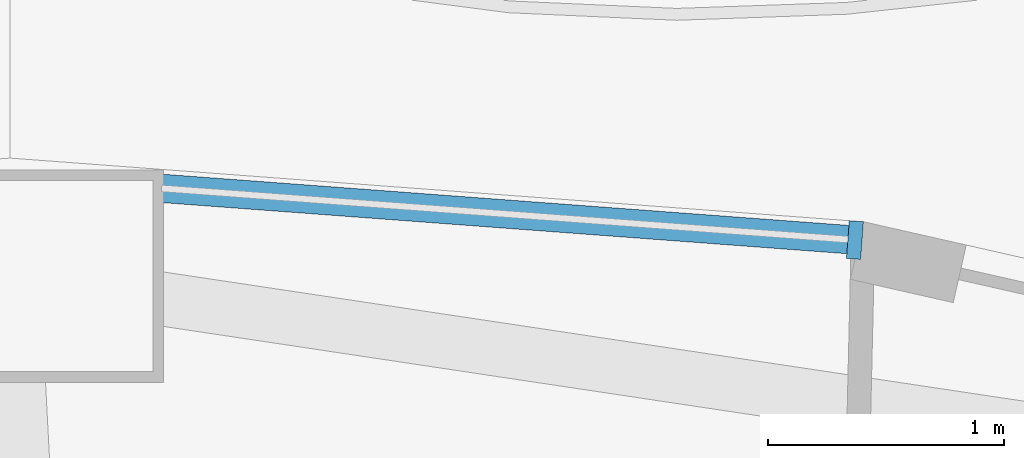
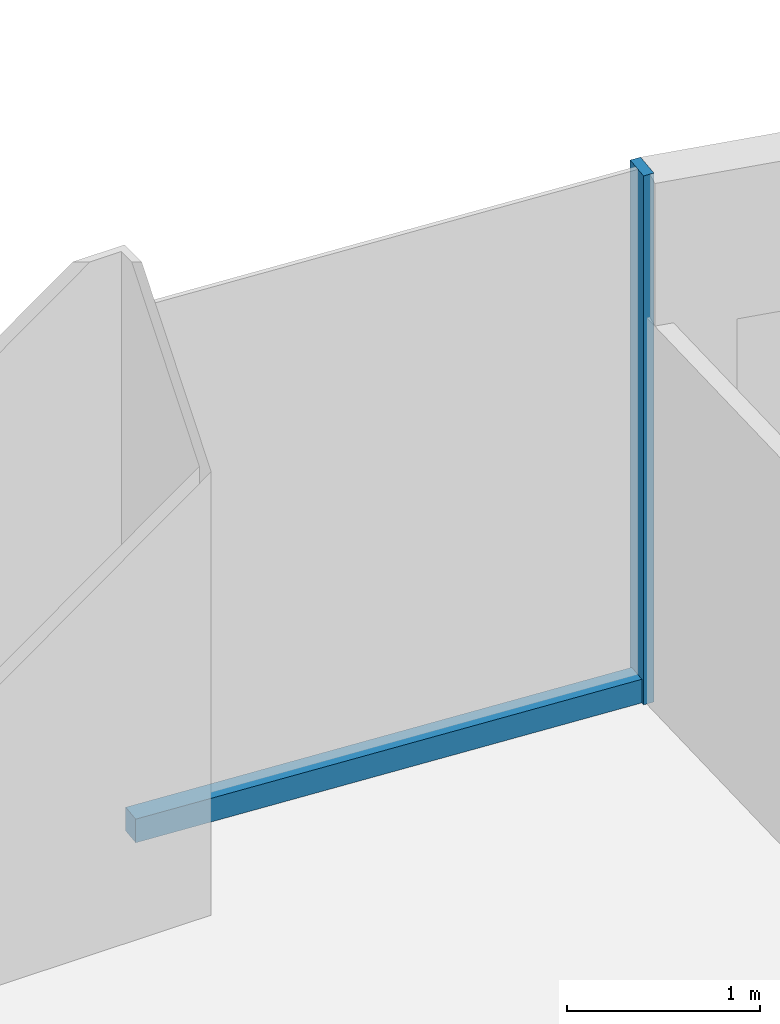
# One storey, part 12 of 23: 2 members, 1 element without a shape of its own.
"""IFC4 building model written with IfcOpenShell, lengths in metres."""

from ifc_helpers import new_model, si_unit, direction, frame, origin, origin_2d, place, context, subcontext, project, spatial, rectangle, extrude, material, layer, layer_set, material_profile, profile_set, type_object, element, aggregate, save


model = new_model("IFC4")

# Units and contexts
model_context = context("Model", 3, precision=1e-05, world=origin(), true_north=direction((0.0, 1.0)))
body_context = subcontext(model_context, "Body", "Model", "MODEL_VIEW")
ifc_project = project(units=[si_unit("LENGTHUNIT", "METRE"), si_unit("AREAUNIT", "SQUARE_METRE"), si_unit("VOLUMEUNIT", "CUBIC_METRE"), si_unit("PLANEANGLEUNIT", "RADIAN"), si_unit("MASSUNIT", "GRAM", prefix="KILO")], contexts=[model_context])

# Site, building, storey
site_placement = place(None, origin())
site = spatial("IfcSite", under=ifc_project, at=site_placement, CompositionType="ELEMENT")
building_placement = place(site_placement, origin())
building = spatial("IfcBuilding", under=site, at=building_placement, Name="Nagisa Residences", CompositionType="ELEMENT")
storey_placement = place(building_placement, frame((0.0, 0.0, 110.300048828125)))
storey = spatial("IfcBuildingStorey", under=building, at=storey_placement, Name="L27", CompositionType="ELEMENT", Elevation=110.300048828125)

# Curtain wall, members
ifc_material_1 = material(Name="Concrete-coloured aluminium curtain wall system", Category="concrete")
ifc_layer = layer(ifc_material_1, 0.159912109375)
ifc_layer_set = layer_set([ifc_layer], Name="CW1 CURTAIN WALL")
curtain_wall_type = type_object("IfcCurtainWallType", Name="CW1 CURTAIN WALL", PredefinedType="NOTDEFINED", material=ifc_layer_set)
curtain_wall_placement = place(storey_placement, origin())
curtain_wall = element("IfcCurtainWall", 1, at=curtain_wall_placement, inside=storey, type_object=curtain_wall_type, Name="cw:CW1:L27:11", PredefinedType="NOTDEFINED")
ifc_material_2 = material(Name="Concrete-coloured aluminium", Category="concrete")
ifc_material_profile_1 = material_profile(ifc_material_2, rectangle(XDim=0.159912109375, YDim=0.06005859375, at=origin_2d()), Name="CW1 MULLION 160x60")
ifc_profile_set_1 = profile_set([ifc_material_profile_1], Name="Concrete-coloured aluminium")
member_type_1 = type_object("IfcMemberType", Name="CW1 MULLION 160x60", PredefinedType="MULLION", material=ifc_profile_set_1)
member_1_placement = place(storey_placement, frame((1.779052734375, 34.28564453125, 0.0), z_axis=(0.0, 0.0, 1.0), x_axis=(-0.074377355493, -0.997230168512, 0.0)))
member_1 = element("IfcMember", 2, at=member_1_placement, type_object=member_type_1, Name="CW1 mullion", PredefinedType="MULLION", context=body_context, shape_type="SweptSolid", body=[
    extrude(rectangle(XDim=0.159912109375, YDim=0.06005859375, at=origin_2d()), origin(), (0.0, 0.0, 1.0), 3.349853515625),
])
ifc_material_3 = material(Name="Concrete-coloured aluminium", Category="concrete")
ifc_material_profile_2 = material_profile(ifc_material_3, rectangle(XDim=0.1201171875, YDim=0.14990234375, at=origin_2d()), Name="CW1 TRANSOM 120x150")
ifc_profile_set_2 = profile_set([ifc_material_profile_2], Name="Concrete-coloured aluminium")
member_type_2 = type_object("IfcMemberType", Name="CW1 TRANSOM 120x150", PredefinedType="USERDEFINED", material=ifc_profile_set_2)
member_2_placement = place(storey_placement, frame((1.80908203125, 34.283203125, 0.074951171875), z_axis=(-0.997226174467, 0.074430887117, 0.0), x_axis=(-0.074430887117, -0.997226174467, 0.0)))
member_2 = element("IfcMember", 3, at=member_2_placement, type_object=member_type_2, Name="CW1 transom", ObjectType="TRANSOM", PredefinedType="USERDEFINED", context=body_context, shape_type="SweptSolid", body=[
    extrude(rectangle(XDim=0.1201171875, YDim=0.14990234375, at=origin_2d()), origin(), (0.0, 0.0, 1.0), 2.97509765625),
])
aggregate(curtain_wall, [member_1, member_2])

save(model, "model.ifc")
